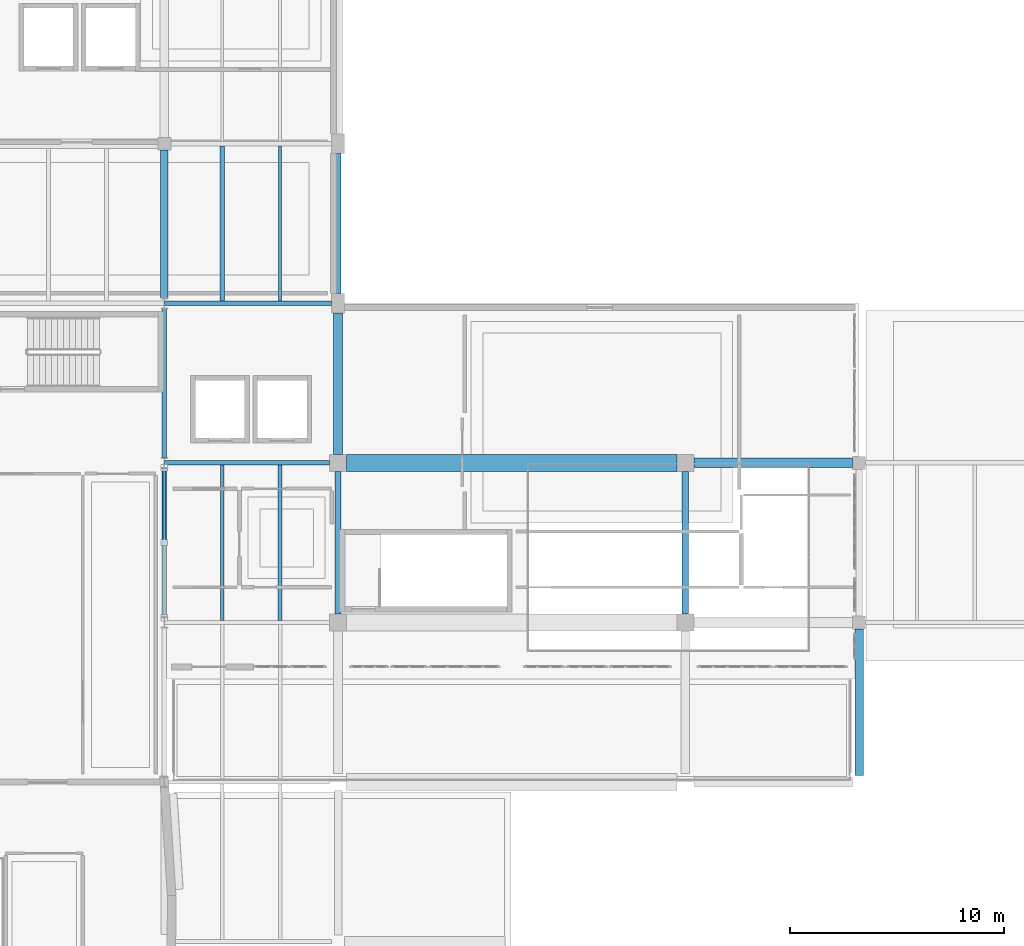
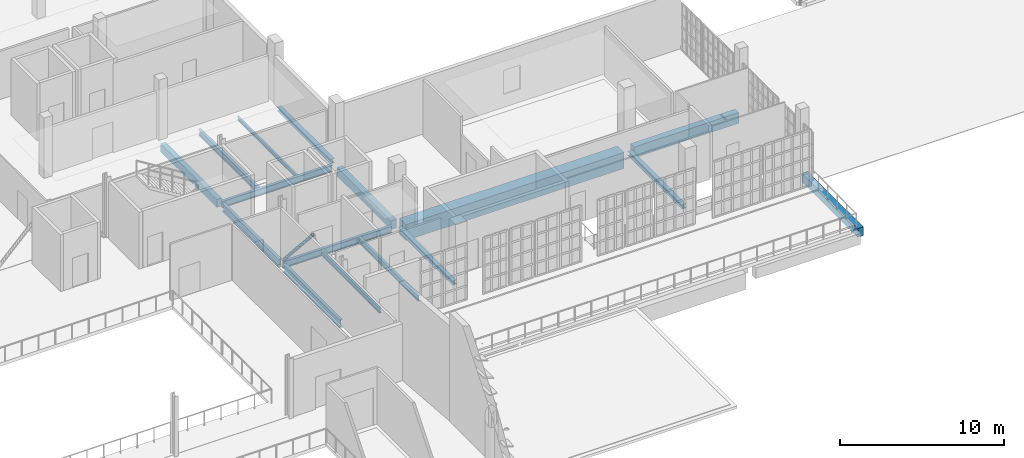
# One storey, part 13 of 56: 16 beams, 1 member.
"""IFC4 building model written with IfcOpenShell, lengths in metres."""

import ifcopenshell
import ifcopenshell.guid

model = None  # the IFC model being written
_history = None  # IfcOwnerHistory: only IFC2X3 demands one
_inside = {}  # id of a spatial element -> (the spatial element, [elements in it])
_under = {}  # id of a project, library or spatial element -> (it, [spatial elements below it])
_declared = {}  # id of a project -> (the project, [libraries it declares])
_typed = {}  # id of a type object -> (the type object, [elements of that type])
_made_of = {}  # id of a material, layer set ... -> (it, [elements and type objects made of it])


def new_model(schema):
    """Start an empty IFC model of exactly this schema.

    Asked for "IFC4X3", IfcOpenShell would pick the latest addendum, in which some entities
    have other attributes; the version numbers below select the first issue.
    IFC2X3 requires an IfcOwnerHistory on every rooted entity: one is made here for all.
    """
    global model, _history
    if schema == "IFC4X3":
        model = ifcopenshell.file(schema_version=(4, 3, 0, 0))
    else:
        model = ifcopenshell.file(schema=schema)
    _inside.clear()
    _under.clear()
    _declared.clear()
    _typed.clear()
    _made_of.clear()
    _history = None
    if model.schema == "IFC2X3":
        org = make("IfcOrganization", Name="unknown")
        user = make(
            "IfcPersonAndOrganization",
            ThePerson=make("IfcPerson", FamilyName="unknown"),
            TheOrganization=org,
        )
        app = make(
            "IfcApplication",
            ApplicationDeveloper=org,
            Version="unknown",
            ApplicationFullName="unknown",
            ApplicationIdentifier="unknown",
        )
        _history = make(
            "IfcOwnerHistory",
            OwningUser=user,
            OwningApplication=app,
            ChangeAction="ADDED",
            CreationDate=0,
        )
    return model


def make(cls, **values):
    """One entity of the class cls with the attributes given. An attribute that is None is left unset."""
    return model.create_entity(
        cls, **{name: value for name, value in values.items() if value is not None}
    )


def rooted(cls, **values):
    """An entity with a GlobalId (a new one), such as an element, a storey or a relation."""
    return make(cls, GlobalId=ifcopenshell.guid.new(), OwnerHistory=_history, **values)


def si_unit(unit_type, name, prefix=None):
    """IfcSIUnit, for example si_unit("LENGTHUNIT", "METRE", prefix="MILLI")."""
    return make("IfcSIUnit", UnitType=unit_type, Prefix=prefix, Name=name)


def assignment(units):
    """IfcUnitAssignment: the units of a project."""
    return None if units is None else make("IfcUnitAssignment", Units=units)


def point(xyz):
    """IfcCartesianPoint."""
    return None if xyz is None else make("IfcCartesianPoint", Coordinates=xyz)


def direction(xyz):
    """IfcDirection."""
    return None if xyz is None else make("IfcDirection", DirectionRatios=xyz)


def frame(location, z_axis=None, x_axis=None):
    """IfcAxis2Placement3D, a coordinate frame: its origin and axes. An axis left out is left unset."""
    return make(
        "IfcAxis2Placement3D",
        Location=point(location),
        Axis=direction(z_axis),
        RefDirection=direction(x_axis),
    )


def frame_2d(location, x_axis=None):
    """IfcAxis2Placement2D, a coordinate frame in the plane: its origin and x axis."""
    return make(
        "IfcAxis2Placement2D", Location=point(location), RefDirection=direction(x_axis)
    )


def origin():
    """The frame at (0, 0, 0) with its axes left unset."""
    return frame((0.0, 0.0, 0.0))


def origin_2d():
    """The frame at (0, 0) in the plane with its x axis left unset."""
    return frame_2d((0.0, 0.0))


def place(relative_to, where):
    """IfcLocalPlacement: puts the frame where relative to a parent placement (None: the world)."""
    return make(
        "IfcLocalPlacement", PlacementRelTo=relative_to, RelativePlacement=where
    )


def context(
    kind, dimensions, precision=None, world=None, true_north=None, identifier=None
):
    """IfcGeometricRepresentationContext, for example the 3D "Model" context."""
    return make(
        "IfcGeometricRepresentationContext",
        ContextIdentifier=identifier,
        ContextType=kind,
        CoordinateSpaceDimension=dimensions,
        Precision=precision,
        WorldCoordinateSystem=world,
        TrueNorth=true_north,
    )


def subcontext(parent, identifier, kind, view, scale=None):
    """IfcGeometricRepresentationSubContext, for example "Body" below "Model"."""
    return make(
        "IfcGeometricRepresentationSubContext",
        ContextIdentifier=identifier,
        ContextType=kind,
        ParentContext=parent,
        TargetScale=scale,
        TargetView=view,
    )


def project(units=None, contexts=None):
    """IfcProject with its units and contexts."""
    return rooted(
        "IfcProject",
        Name="project",
        RepresentationContexts=contexts,
        UnitsInContext=assignment(units),
    )


def spatial(cls, under=None, at=None, **own):
    """A site, building, storey or space (cls), placed at a placement, below another one or the project."""
    s = rooted(cls, ObjectPlacement=at, **own)
    if under is not None:
        _under.setdefault(under.id(), (under, []))[1].append(s)
    return s


def profile(cls, at=None, kind="AREA", **sizes):
    """A parametric profile (cls). Its sizes go by their IFC names, for example OverallWidth=200.0."""
    return make(cls, ProfileType=kind, Position=at, **sizes)


def rectangle(**sizes):
    """IfcRectangleProfileDef."""
    return profile("IfcRectangleProfileDef", **sizes)


def hollow_circle(**sizes):
    """IfcCircleHollowProfileDef."""
    return profile("IfcCircleHollowProfileDef", **sizes)


def i_section(**sizes):
    """IfcIShapeProfileDef."""
    return profile("IfcIShapeProfileDef", **sizes)


def extrude(swept, where, along, depth):
    """IfcExtrudedAreaSolid: the profile swept, set in the frame where, extruded along a direction by depth."""
    return make(
        "IfcExtrudedAreaSolid",
        SweptArea=swept,
        Position=where,
        ExtrudedDirection=direction(along),
        Depth=depth,
    )


def shape(context_of_items, identifier, shape_type, items):
    """IfcShapeRepresentation: the items that make up one representation, for example the "Body"."""
    return make(
        "IfcShapeRepresentation",
        ContextOfItems=context_of_items,
        RepresentationIdentifier=identifier,
        RepresentationType=shape_type,
        Items=items,
    )


def material(Name=None, Category=None):
    """IfcMaterial."""
    return make("IfcMaterial", Name=Name, Category=Category)


def material_profile(
    of_material, cross_section, Name=None, Category=None, Priority=None
):
    """IfcMaterialProfile: a cross section and its material."""
    return make(
        "IfcMaterialProfile",
        Name=Name,
        Material=of_material,
        Profile=cross_section,
        Priority=Priority,
        Category=Category,
    )


def profile_set(profiles, Name=None, composite=None):
    """IfcMaterialProfileSet."""
    return make(
        "IfcMaterialProfileSet",
        Name=Name,
        MaterialProfiles=profiles,
        CompositeProfile=composite,
    )


def made_of(thing, what):
    """Note that an element or type object is made of a material, layer set ...; save() writes the relation."""
    if what is not None:
        _made_of.setdefault(what.id(), (what, []))[1].append(thing)
    return thing


def type_object(cls, material=None, **own):
    """A type object (cls), such as IfcWallType, which elements share."""
    return made_of(rooted(cls, **own), material)


def element(
    cls,
    number,
    at=None,
    inside=None,
    cuts=None,
    type_object=None,
    material=None,
    context=None,
    identifier="Body",
    shape_type=None,
    held_by="IfcProductDefinitionShape",
    body=None,
    shapes=None,
    **own,
):
    """One element of the class cls, such as IfcWall. Its Tag is "e" and its number.

    at: its placement. inside: the storey or other place that contains it. cuts: it is an
    opening in that element (IfcRelVoidsElement). A single representation is given by context,
    identifier, shape_type and body (its items); several are given by shapes. held_by: the class
    of the entity that holds the representations. save() writes the other relations.
    """
    e = rooted(cls, Tag="e%d" % number, ObjectPlacement=at, **own)
    if body is not None:
        shapes = [shape(context, identifier, shape_type, body)]
    if shapes is not None:
        e.Representation = make(held_by, Representations=shapes)
    if inside is not None:
        _inside.setdefault(inside.id(), (inside, []))[1].append(e)
    if cuts is not None:
        rooted(
            "IfcRelVoidsElement", RelatingBuildingElement=cuts, RelatedOpeningElement=e
        )
    if type_object is not None:
        _typed.setdefault(type_object.id(), (type_object, []))[1].append(e)
    return made_of(e, material)


def aggregate(whole, parts):
    """IfcRelAggregates: a whole, such as a stair, and the parts it consists of."""
    return rooted("IfcRelAggregates", RelatingObject=whole, RelatedObjects=parts)


def save(model, path):
    """Write the relations noted so far, then the file.

    IfcRelAggregates (storeys below a building ...), IfcRelContainedInSpatialStructure (elements
    in a storey), IfcRelDefinesByType, IfcRelAssociatesMaterial and IfcRelDeclares: one each for
    every whole, place, type object, material and project.
    """
    for whole, parts in _under.values():
        aggregate(whole, parts)
    for where, things in _inside.values():
        rooted(
            "IfcRelContainedInSpatialStructure",
            RelatedElements=things,
            RelatingStructure=where,
        )
    for kind, things in _typed.values():
        rooted("IfcRelDefinesByType", RelatedObjects=things, RelatingType=kind)
    for what, things in _made_of.values():
        rooted("IfcRelAssociatesMaterial", RelatedObjects=things, RelatingMaterial=what)
    for by, libraries in _declared.values():
        rooted("IfcRelDeclares", RelatingContext=by, RelatedDefinitions=libraries)
    model.write(path)


model = new_model("IFC4")

# Units and contexts
model_context = context("Model", 3, precision=1e-05, world=origin(), true_north=direction((0.0, 1.0)))
body_context = subcontext(model_context, "Body", "Model", "MODEL_VIEW")
ifc_project = project(units=[si_unit("LENGTHUNIT", "METRE"), si_unit("AREAUNIT", "SQUARE_METRE"), si_unit("VOLUMEUNIT", "CUBIC_METRE"), si_unit("PLANEANGLEUNIT", "RADIAN"), si_unit("MASSUNIT", "GRAM", prefix="KILO")], contexts=[model_context])

# Site, building, storey
site_placement = place(None, origin())
site = spatial("IfcSite", under=ifc_project, at=site_placement, CompositionType="ELEMENT")
building_placement = place(site_placement, origin())
building = spatial("IfcBuilding", under=site, at=building_placement, Name="Kaelora Sail Theatre", CompositionType="ELEMENT")
storey_placement = place(building_placement, frame((0.0, 0.0, 14.699951171875)))
storey = spatial("IfcBuildingStorey", under=building, at=storey_placement, Name="L03", CompositionType="ELEMENT", Elevation=14.699951171875)

# Beams
ifc_material_1 = material(Name="Steel S355", Category="steel")
ifc_material_profile_1 = material_profile(ifc_material_1, i_section(OverallWidth=0.300048828125, OverallDepth=0.31005859375, WebThickness=0.009033203125, FlangeThickness=0.015380859375, FilletRadius=0.027099609375, at=origin_2d()), Name="HEA 320")
ifc_profile_set_1 = profile_set([ifc_material_profile_1], Name="Steel S355")
beam_type_1 = type_object("IfcBeamType", Name="STR-BM-BM-HEA320", PredefinedType="BEAM", material=ifc_profile_set_1)
beam_1_placement = place(storey_placement, frame((66.300048828125, 68.860107421875, -0.429931640625), z_axis=(0.0, 1.0, 0.0), x_axis=(-1.0, 0.0, 0.0)))
element("IfcBeam", 1, at=beam_1_placement, inside=storey, type_object=beam_type_1, Name="Primary beam 9 J-K (L03)", PredefinedType="BEAM", context=body_context, shape_type="SweptSolid", body=[
    extrude(i_section(OverallWidth=0.300048828125, OverallDepth=0.31005859375, WebThickness=0.009033203125, FlangeThickness=0.015380859375, FilletRadius=0.027099609375, at=origin_2d()), origin(), (0.0, 0.0, 1.0), 6.639892578125),
])
beam_2_placement = place(storey_placement, frame((66.300048828125, 83.7900390625, -0.429931640625), z_axis=(0.0, 1.0, 0.0), x_axis=(-1.0, 0.0, 0.0)))
element("IfcBeam", 2, at=beam_2_placement, inside=storey, type_object=beam_type_1, Name="Primary beam 9 L-M (L03)", PredefinedType="BEAM", context=body_context, shape_type="SweptSolid", body=[
    extrude(i_section(OverallWidth=0.300048828125, OverallDepth=0.31005859375, WebThickness=0.009033203125, FlangeThickness=0.015380859375, FilletRadius=0.027099609375, at=origin_2d()), origin(), (0.0, 0.0, 1.0), 6.5400390625),
])
beam_3_placement = place(storey_placement, frame((82.5, 68.860107421875, -0.429931640625), z_axis=(0.0, 1.0, 0.0), x_axis=(-1.0, 0.0, 0.0)))
element("IfcBeam", 3, at=beam_3_placement, inside=storey, type_object=beam_type_1, Name="Primary beam 11 J-K (L03)", PredefinedType="BEAM", context=body_context, shape_type="SweptSolid", body=[
    extrude(i_section(OverallWidth=0.300048828125, OverallDepth=0.31005859375, WebThickness=0.009033203125, FlangeThickness=0.015380859375, FilletRadius=0.027099609375, at=origin_2d()), origin(), (0.0, 0.0, 1.0), 6.639892578125),
])
ifc_material_2 = material(Name="Steel S355", Category="steel")
ifc_material_profile_2 = material_profile(ifc_material_2, i_section(OverallWidth=0.18994140625, OverallDepth=0.449951171875, WebThickness=0.009521484375, FlangeThickness=0.0146484375, FilletRadius=0.02099609375, at=origin_2d()), Name="IPE 450")
ifc_profile_set_2 = profile_set([ifc_material_profile_2], Name="Steel S355")
beam_type_2 = type_object("IfcBeamType", Name="STR-BM-BM-IPE450", PredefinedType="BEAM", material=ifc_profile_set_2)
beam_4_placement = place(storey_placement, frame((60.89990234375, 83.43994140625, -0.5), z_axis=(0.0, 1.0, 0.0), x_axis=(-1.0, 0.0, 0.0)))
element("IfcBeam", 4, at=beam_4_placement, inside=storey, type_object=beam_type_2, Name="Secondary floor joist 8/L-1 (L03)", PredefinedType="BEAM", context=body_context, shape_type="SweptSolid", body=[
    extrude(i_section(OverallWidth=0.18994140625, OverallDepth=0.449951171875, WebThickness=0.009521484375, FlangeThickness=0.0146484375, FilletRadius=0.02099609375, at=origin_2d()), origin(), (0.0, 0.0, 1.0), 7.239990234375),
])
ifc_material_3 = material(Name="Steel S355", Category="steel")
ifc_material_profile_3 = material_profile(ifc_material_3, i_section(OverallWidth=0.199951171875, OverallDepth=0.5, WebThickness=0.01025390625, FlangeThickness=0.01611328125, FilletRadius=0.02099609375, at=origin_2d()), Name="IPE 500")
ifc_profile_set_3 = profile_set([ifc_material_profile_3], Name="Steel S355")
beam_type_3 = type_object("IfcBeamType", Name="STR-BM-BM-IPE500", PredefinedType="BEAM", material=ifc_profile_set_3)
beam_5_placement = place(storey_placement, frame((58.208984375, 75.89990234375, -0.52490234375), z_axis=(1.0, 0.0, 0.0), x_axis=(0.0, 1.0, 0.0)))
element("IfcBeam", 5, at=beam_5_placement, inside=storey, type_object=beam_type_3, Name="Primary beam K 8-9 (L03)", PredefinedType="BEAM", context=body_context, shape_type="SweptSolid", body=[
    extrude(i_section(OverallWidth=0.199951171875, OverallDepth=0.5, WebThickness=0.01025390625, FlangeThickness=0.01611328125, FilletRadius=0.02099609375, at=origin_2d()), origin(), (0.0, 0.0, 1.0), 7.69091796875),
])
beam_6_placement = place(storey_placement, frame((58.208984375, 83.340087890625, -0.52490234375), z_axis=(1.0, 0.0, 0.0), x_axis=(0.0, 1.0, 0.0)))
element("IfcBeam", 6, at=beam_6_placement, inside=storey, type_object=beam_type_3, Name="Primary beam L 8-9 (L03)", PredefinedType="BEAM", context=body_context, shape_type="SweptSolid", body=[
    extrude(i_section(OverallWidth=0.199951171875, OverallDepth=0.5, WebThickness=0.01025390625, FlangeThickness=0.01611328125, FilletRadius=0.02099609375, at=origin_2d()), origin(), (0.0, 0.0, 1.0), 7.791015625),
])
ifc_material_4 = material(Name="Steel S355", Category="steel")
ifc_material_profile_4 = material_profile(ifc_material_4, i_section(OverallWidth=0.219970703125, OverallDepth=0.60009765625, WebThickness=0.011962890625, FlangeThickness=0.01904296875, FilletRadius=0.02392578125, at=origin_2d()), Name="IPE 600")
ifc_profile_set_4 = profile_set([ifc_material_profile_4], Name="Steel S355")
beam_type_4 = type_object("IfcBeamType", Name="STR-BM-BM-IPE600", PredefinedType="USERDEFINED", material=ifc_profile_set_4)
beam_7_placement = place(storey_placement, frame((58.199951171875, 68.7099609375, -0.574951171875), z_axis=(0.0, 1.0, 0.0), x_axis=(-1.0, 0.0, 0.0)))
element("IfcBeam", 7, at=beam_7_placement, inside=storey, type_object=beam_type_4, Name="Primary beam 8 J-K (L03)", ObjectType="GIRDER", PredefinedType="USERDEFINED", context=body_context, shape_type="SweptSolid", body=[
    extrude(i_section(OverallWidth=0.219970703125, OverallDepth=0.60009765625, WebThickness=0.011962890625, FlangeThickness=0.01904296875, FilletRadius=0.02392578125, at=origin_2d()), origin(), (0.0, 0.0, 1.0), 6.93994140625),
])
beam_8_placement = place(storey_placement, frame((58.199951171875, 76.14990234375, -0.574951171875), z_axis=(0.0, 1.0, 0.0), x_axis=(-1.0, 0.0, 0.0)))
element("IfcBeam", 8, at=beam_8_placement, inside=storey, type_object=beam_type_4, Name="Primary beam 8 K-L (L03)", ObjectType="GIRDER", PredefinedType="USERDEFINED", context=body_context, shape_type="SweptSolid", body=[
    extrude(i_section(OverallWidth=0.219970703125, OverallDepth=0.60009765625, WebThickness=0.011962890625, FlangeThickness=0.01904296875, FilletRadius=0.02392578125, at=origin_2d()), origin(), (0.0, 0.0, 1.0), 6.940185546875),
])
ifc_material_5 = material(Name="Concrete C40/50", Category="concrete")
ifc_material_profile_5 = material_profile(ifc_material_5, rectangle(XDim=0.35009765625, YDim=0.60009765625, at=origin_2d()), Name="RC-BM 350x600")
ifc_profile_set_5 = profile_set([ifc_material_profile_5], Name="Concrete C40/50")
beam_type_5 = type_object("IfcBeamType", Name="STR-BM-BM-RC3560", PredefinedType="BEAM", material=ifc_profile_set_5)
beam_9_placement = place(storey_placement, frame((58.199951171875, 83.590087890625, -0.574951171875), z_axis=(0.0, 1.0, 0.0), x_axis=(-1.0, 0.0, 0.0)))
element("IfcBeam", 9, at=beam_9_placement, inside=storey, type_object=beam_type_5, Name="Primary beam 8 L-M (L03)", PredefinedType="BEAM", context=body_context, shape_type="SweptSolid", body=[
    extrude(rectangle(XDim=0.35009765625, YDim=0.60009765625, at=origin_2d()), origin(), (0.0, 0.0, 1.0), 6.889892578125),
])
ifc_material_6 = material(Name="Concrete C40/50", Category="concrete")
ifc_material_profile_6 = material_profile(ifc_material_6, rectangle(XDim=0.39990234375, YDim=0.64990234375, at=origin_2d()), Name="RC-BM 400x650")
ifc_profile_set_6 = profile_set([ifc_material_profile_6], Name="Concrete C40/50")
beam_type_6 = type_object("IfcBeamType", Name="STR-BM-BM-RC4065", PredefinedType="BEAM", material=ifc_profile_set_6)
beam_10_placement = place(storey_placement, frame((66.300048828125, 76.300048828125, -0.599853515625), z_axis=(0.0, 1.0, 0.0), x_axis=(-1.0, 0.0, 0.0)))
element("IfcBeam", 10, at=beam_10_placement, inside=storey, type_object=beam_type_6, Name="Primary beam 9 K-L (L03)", PredefinedType="BEAM", context=body_context, shape_type="SweptSolid", body=[
    extrude(rectangle(XDim=0.39990234375, YDim=0.64990234375, at=origin_2d()), origin(), (0.0, 0.0, 1.0), 6.58984375),
])
beam_11_placement = place(storey_placement, frame((90.60009765625, 61.320068359375, -0.599853515625), z_axis=(0.0, 1.0, 0.0), x_axis=(-1.0, 0.0, 0.0)))
element("IfcBeam", 11, at=beam_11_placement, inside=storey, type_object=beam_type_6, Name="Primary beam 12 I-J (L03)", PredefinedType="BEAM", context=body_context, shape_type="SweptSolid", body=[
    extrude(rectangle(XDim=0.39990234375, YDim=0.64990234375, at=origin_2d()), origin(), (0.0, 0.0, 1.0), 6.83984375),
])
ifc_material_7 = material(Name="Concrete C45/55", Category="concrete")
ifc_material_profile_7 = material_profile(ifc_material_7, rectangle(XDim=0.449951171875, YDim=0.800048828125, at=origin_2d()), Name="RC-BM 450x800")
ifc_profile_set_7 = profile_set([ifc_material_profile_7], Name="Concrete C45/55")
beam_type_7 = type_object("IfcBeamType", Name="STR-BM-BM-RC4580", PredefinedType="BEAM", material=ifc_profile_set_7)
beam_12_placement = place(storey_placement, frame((82.89990234375, 75.89990234375, -0.675048828125), z_axis=(1.0, 0.0, 0.0), x_axis=(0.0, 1.0, 0.0)))
element("IfcBeam", 12, at=beam_12_placement, inside=storey, type_object=beam_type_7, Name="Primary beam K 11-12 (L03)", PredefinedType="BEAM", context=body_context, shape_type="SweptSolid", body=[
    extrude(rectangle(XDim=0.449951171875, YDim=0.800048828125, at=origin_2d()), origin(), (0.0, 0.0, 1.0), 7.400146484375),
])
ifc_material_8 = material(Name="Steel S355", Category="steel")
ifc_material_profile_8 = material_profile(ifc_material_8, i_section(OverallWidth=0.135009765625, OverallDepth=0.27001953125, WebThickness=0.006591796875, FlangeThickness=0.01025390625, FilletRadius=0.014892578125, at=origin_2d()), Name="IPE 270")
ifc_profile_set_8 = profile_set([ifc_material_profile_8], Name="Steel S355")
beam_type_8 = type_object("IfcBeamType", Name="STR-BM-JS-IPE270", PredefinedType="JOIST", material=ifc_profile_set_8)
beam_13_placement = place(storey_placement, frame((63.60009765625, 83.43994140625, -0.409912109375), z_axis=(0.0, 1.0, 0.0), x_axis=(-1.0, 0.0, 0.0)))
element("IfcBeam", 13, at=beam_13_placement, inside=storey, type_object=beam_type_8, Name="Secondary floor joist 8/L-2 (L03)", PredefinedType="JOIST", context=body_context, shape_type="SweptSolid", body=[
    extrude(i_section(OverallWidth=0.135009765625, OverallDepth=0.27001953125, WebThickness=0.006591796875, FlangeThickness=0.01025390625, FilletRadius=0.014892578125, at=origin_2d()), origin(), (0.0, 0.0, 1.0), 7.239990234375),
])
ifc_material_9 = material(Name="Steel S355", Category="steel")
ifc_material_profile_9 = material_profile(ifc_material_9, i_section(OverallWidth=0.169921875, OverallDepth=0.360107421875, WebThickness=0.008056640625, FlangeThickness=0.0126953125, FilletRadius=0.01806640625, at=origin_2d()), Name="IPE 360")
ifc_profile_set_9 = profile_set([ifc_material_profile_9], Name="Steel S355")
beam_type_9 = type_object("IfcBeamType", Name="STR-BM-JS-IPE360", PredefinedType="JOIST", material=ifc_profile_set_9)
beam_14_placement = place(storey_placement, frame((60.89990234375, 68.56005859375, -0.454833984375), z_axis=(0.0, 1.0, 0.0), x_axis=(-1.0, 0.0, 0.0)))
element("IfcBeam", 14, at=beam_14_placement, inside=storey, type_object=beam_type_9, Name="Secondary floor joist 8/J-1 (L03)", PredefinedType="JOIST", context=body_context, shape_type="SweptSolid", body=[
    extrude(i_section(OverallWidth=0.169921875, OverallDepth=0.360107421875, WebThickness=0.008056640625, FlangeThickness=0.0126953125, FilletRadius=0.01806640625, at=origin_2d()), origin(), (0.0, 0.0, 1.0), 7.239990234375),
])
ifc_material_10 = material(Name="Steel S355", Category="steel")
ifc_material_profile_10 = material_profile(ifc_material_10, i_section(OverallWidth=0.179931640625, OverallDepth=0.39990234375, WebThickness=0.008544921875, FlangeThickness=0.013427734375, FilletRadius=0.02099609375, at=origin_2d()), Name="IPE 400")
ifc_profile_set_10 = profile_set([ifc_material_profile_10], Name="Steel S355")
beam_type_10 = type_object("IfcBeamType", Name="STR-BM-JS-IPE400", PredefinedType="JOIST", material=ifc_profile_set_10)
beam_15_placement = place(storey_placement, frame((63.60009765625, 68.56005859375, -0.474853515625), z_axis=(0.0, 1.0, 0.0), x_axis=(-1.0, 0.0, 0.0)))
element("IfcBeam", 15, at=beam_15_placement, inside=storey, type_object=beam_type_10, Name="Secondary floor joist 8/J-2 (L03)", PredefinedType="JOIST", context=body_context, shape_type="SweptSolid", body=[
    extrude(i_section(OverallWidth=0.179931640625, OverallDepth=0.39990234375, WebThickness=0.008544921875, FlangeThickness=0.013427734375, FilletRadius=0.02099609375, at=origin_2d()), origin(), (0.0, 0.0, 1.0), 7.239990234375),
])
ifc_material_11 = material(Name="Concrete C50/60", Category="concrete")
ifc_material_profile_11 = material_profile(ifc_material_11, rectangle(XDim=0.800048828125, YDim=1.199951171875, at=origin_2d()), Name="RC-SRB 800x1200")
ifc_profile_set_11 = profile_set([ifc_material_profile_11], Name="Concrete C50/60")
beam_type_11 = type_object("IfcBeamType", Name="STR-BM-SRB-8012", PredefinedType="T_BEAM", material=ifc_profile_set_11)
beam_16_placement = place(storey_placement, frame((66.699951171875, 75.89990234375, -0.875), z_axis=(1.0, 0.0, 0.0), x_axis=(0.0, 1.0, 0.0)))
element("IfcBeam", 16, at=beam_16_placement, inside=storey, type_object=beam_type_11, Name="Grand Foyer clear-span girder L03-K", PredefinedType="T_BEAM", context=body_context, shape_type="SweptSolid", body=[
    extrude(rectangle(XDim=0.800048828125, YDim=1.199951171875, at=origin_2d()), origin(), (0.0, 0.0, 1.0), 15.400146484375),
])

# Member
ifc_material_12 = material(Name="Steel S355", Category="steel")
ifc_material_profile_12 = material_profile(ifc_material_12, hollow_circle(Radius=0.109619140625, WallThickness=0.010009765625, at=origin_2d()), Name="CHS 219.1x10.0")
ifc_profile_set_12 = profile_set([ifc_material_profile_12], Name="Steel S355")
member_type = type_object("IfcMemberType", Name="STR-MEM-BR-CHS219", PredefinedType="BRACE", material=ifc_profile_set_12)
member_placement = place(storey_placement, frame((58.199951171875, 75.669921875, 0.02001953125), z_axis=(0.0, -0.664476352535, 0.74730929134), x_axis=(1.0, 0.0, 0.0)))
element("IfcMember", 17, at=member_placement, inside=storey, type_object=member_type, Name="Fly Tower chevron brace L03 EM2", PredefinedType="BRACE", context=body_context, shape_type="SweptSolid", body=[
    extrude(hollow_circle(Radius=0.109619140625, WallThickness=0.010009765625, at=origin_2d()), origin(), (0.0, 0.0, 1.0), 5.252197265625),
])

save(model, "model.ifc")
